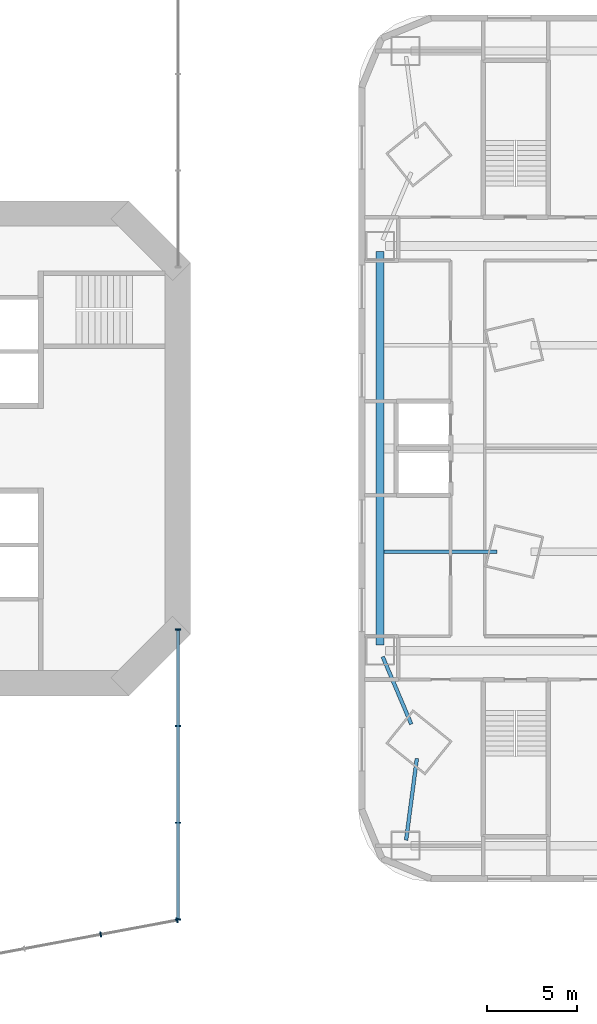
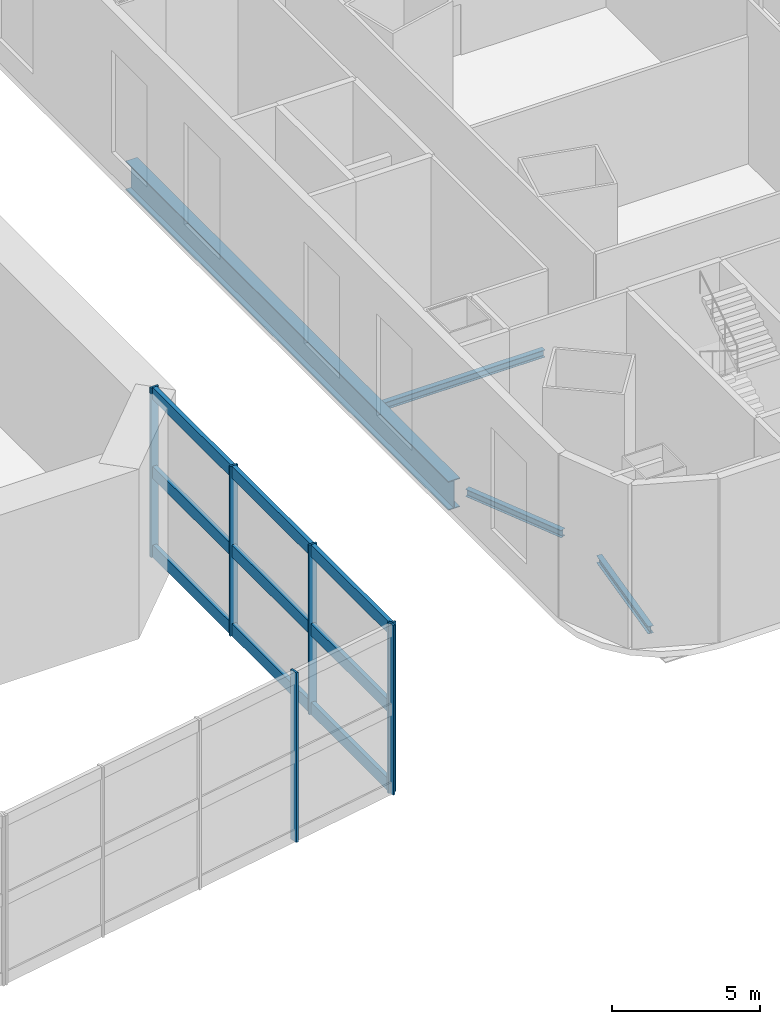
# One storey, part 5 of 19: 9 members, 4 beams, 2 elements without a shape of their own.
"""IFC4 building model written with IfcOpenShell, lengths in metres."""

from ifc_helpers import new_model, si_unit, direction, frame, origin, origin_2d, place, context, subcontext, project, spatial, rectangle, i_section, extrude, material, material_profile, profile_set, type_object, element, aggregate, save


model = new_model("IFC4")

# Units and contexts
model_context = context("Model", 3, precision=1e-05, world=origin(), true_north=direction((0.0, 1.0)))
body_context = subcontext(model_context, "Body", "Model", "MODEL_VIEW")
ifc_project = project(units=[si_unit("LENGTHUNIT", "METRE"), si_unit("AREAUNIT", "SQUARE_METRE"), si_unit("VOLUMEUNIT", "CUBIC_METRE"), si_unit("PLANEANGLEUNIT", "RADIAN"), si_unit("MASSUNIT", "GRAM", prefix="KILO")], contexts=[model_context])

# Site, building, storey
site_placement = place(None, origin())
site = spatial("IfcSite", under=ifc_project, at=site_placement, CompositionType="ELEMENT")
building_placement = place(site_placement, origin())
building = spatial("IfcBuilding", under=site, at=building_placement, Name="Marenthal Gate Tower", CompositionType="ELEMENT")
storey_placement = place(building_placement, frame((0.0, 0.0, 12.0)))
storey = spatial("IfcBuildingStorey", under=building, at=storey_placement, Name="L01", CompositionType="ELEMENT", Elevation=12.0)

# Curtain wall, members
ifc_material_1 = material(Name="Aluminium and glass", Category="aluminium")
curtain_wall_type = type_object("IfcCurtainWallType", Name="Curtain wall arch infill", PredefinedType="NOTDEFINED", material=ifc_material_1)
curtain_wall_1_placement = place(storey_placement, origin())
curtain_wall_1 = element("IfcCurtainWall", 1, at=curtain_wall_1_placement, inside=storey, type_object=curtain_wall_type, Name="Curtain wall L01 arch S4", PredefinedType="NOTDEFINED")
ifc_material_2 = material(Name="Aluminium", Category="aluminium")
ifc_material_profile_1 = material_profile(ifc_material_2, rectangle(XDim=0.300048828125, YDim=0.080078125, at=origin_2d()), Name="80x300 aluminium mullion")
ifc_profile_set_1 = profile_set([ifc_material_profile_1], Name="Aluminium")
member_type_1 = type_object("IfcMemberType", Name="Mullion 80x300 arch infill", PredefinedType="MULLION", material=ifc_profile_set_1)
member_1_placement = place(storey_placement, frame((11.730224609375, -26.913818359375, 0.0), z_axis=(0.0, 0.0, 1.0), x_axis=(-0.183356787375, 0.983046432537, 0.0)))
member_1 = element("IfcMember", 2, at=member_1_placement, type_object=member_type_1, Name="Mullion L01 arch S4.4", PredefinedType="MULLION", context=body_context, shape_type="SweptSolid", body=[
    extrude(rectangle(XDim=0.300048828125, YDim=0.080078125, at=origin_2d()), origin(), (0.0, 0.0, 1.0), 7.0),
])
member_2_placement = place(storey_placement, frame((15.960693359375, -26.124755859375, 0.0), z_axis=(0.0, 0.0, 1.0), x_axis=(-0.183356787375, 0.983046432537, 0.0)))
member_2 = element("IfcMember", 3, at=member_2_placement, type_object=member_type_1, Name="Mullion L01 arch S4.5", PredefinedType="MULLION", context=body_context, shape_type="SweptSolid", body=[
    extrude(rectangle(XDim=0.300048828125, YDim=0.080078125, at=origin_2d()), origin(), (0.0, 0.0, 1.0), 7.0),
])
aggregate(curtain_wall_1, [member_1, member_2])

curtain_wall_2_placement = place(storey_placement, origin())
curtain_wall_2 = element("IfcCurtainWall", 4, at=curtain_wall_2_placement, inside=storey, type_object=curtain_wall_type, Name="Curtain wall L01 hall SE1", PredefinedType="NOTDEFINED")
member_3_placement = place(storey_placement, frame((16.0, -10.0400390625, 0.0), z_axis=(0.0, 0.0, 1.0), x_axis=(1.0, 0.0, 0.0)))
member_3 = element("IfcMember", 5, at=member_3_placement, type_object=member_type_1, Name="Mullion L01 hall SE1.1", PredefinedType="MULLION", context=body_context, shape_type="SweptSolid", body=[
    extrude(rectangle(XDim=0.300048828125, YDim=0.080078125, at=origin_2d()), origin(), (0.0, 0.0, 1.0), 7.0),
])
member_4_placement = place(storey_placement, frame((16.0, -15.3857421875, 0.0), z_axis=(0.0, 0.0, 1.0), x_axis=(1.0, 0.0, 0.0)))
member_4 = element("IfcMember", 6, at=member_4_placement, type_object=member_type_1, Name="Mullion L01 hall SE1.2", PredefinedType="MULLION", context=body_context, shape_type="SweptSolid", body=[
    extrude(rectangle(XDim=0.300048828125, YDim=0.080078125, at=origin_2d()), origin(), (0.0, 0.0, 1.0), 7.0),
])
member_5_placement = place(storey_placement, frame((16.0, -20.731689453125, 0.0), z_axis=(0.0, 0.0, 1.0), x_axis=(1.0, 0.0, 0.0)))
member_5 = element("IfcMember", 7, at=member_5_placement, type_object=member_type_1, Name="Mullion L01 hall SE1.3", PredefinedType="MULLION", context=body_context, shape_type="SweptSolid", body=[
    extrude(rectangle(XDim=0.300048828125, YDim=0.080078125, at=origin_2d()), origin(), (0.0, 0.0, 1.0), 7.0),
])
member_6_placement = place(storey_placement, frame((16.0, -26.077392578125, 0.0), z_axis=(0.0, 0.0, 1.0), x_axis=(1.0, 0.0, 0.0)))
member_6 = element("IfcMember", 8, at=member_6_placement, type_object=member_type_1, Name="Mullion L01 hall SE1.4", PredefinedType="MULLION", context=body_context, shape_type="SweptSolid", body=[
    extrude(rectangle(XDim=0.300048828125, YDim=0.080078125, at=origin_2d()), origin(), (0.0, 0.0, 1.0), 7.0),
])

# Beam
ifc_material_3 = material(Name="Steel S355", Category="steel")
ifc_material_profile_2 = material_profile(ifc_material_3, i_section(OverallWidth=0.449951171875, OverallDepth=1.199951171875, WebThickness=0.02197265625, FlangeThickness=0.0400390625, at=origin_2d()), Name="PLATE GIRDER 1200X450X22X40")
ifc_profile_set_2 = profile_set([ifc_material_profile_2], Name="Steel S355")
beam_type_1 = type_object("IfcBeamType", Name="PLATE GIRDER 1200X450X22X40 beam", PredefinedType="BEAM", material=ifc_profile_set_2)
beam_1_placement = place(storey_placement, frame((27.199951171875, -10.89990234375, -0.85009765625), z_axis=(0.0, 1.0, 0.0), x_axis=(-1.0, 0.0, 0.0)))
element("IfcBeam", 9, at=beam_1_placement, inside=storey, type_object=beam_type_1, Name="BM-L01-104", PredefinedType="BEAM", context=body_context, shape_type="SweptSolid", body=[
    extrude(i_section(OverallWidth=0.449951171875, OverallDepth=1.199951171875, WebThickness=0.02197265625, FlangeThickness=0.0400390625, at=origin_2d()), origin(), (0.0, 0.0, 1.0), 21.7998046875),
])

# Member
ifc_material_4 = material(Name="Aluminium", Category="aluminium")
ifc_material_profile_3 = material_profile(ifc_material_4, rectangle(XDim=0.159912109375, YDim=0.5, at=origin_2d()), Name="160x500 aluminium transom")
ifc_profile_set_3 = profile_set([ifc_material_profile_3], Name="Aluminium")
member_type_2 = type_object("IfcMemberType", Name="Transom 160x500 arch infill", PredefinedType="USERDEFINED", material=ifc_profile_set_3)
member_7_placement = place(storey_placement, frame((16.0, -10.080078125, 0.25), z_axis=(0.0, -1.0, 0.0), x_axis=(1.0, 0.0, 0.0)))
member_7 = element("IfcMember", 10, at=member_7_placement, type_object=member_type_2, Name="Transom L01 hall SE1.1", ObjectType="TRANSOM", PredefinedType="USERDEFINED", context=body_context, shape_type="SweptSolid", body=[
    extrude(rectangle(XDim=0.159912109375, YDim=0.5, at=origin_2d()), origin(), (0.0, 0.0, 1.0), 15.957275390625),
])

member_8_placement = place(storey_placement, frame((16.0, -10.080078125, 3.5), z_axis=(0.0, -1.0, 0.0), x_axis=(1.0, 0.0, 0.0)))
member_8 = element("IfcMember", 11, at=member_8_placement, type_object=member_type_2, Name="Transom L01 hall SE1.2", ObjectType="TRANSOM", PredefinedType="USERDEFINED", context=body_context, shape_type="SweptSolid", body=[
    extrude(rectangle(XDim=0.159912109375, YDim=0.5, at=origin_2d()), origin(), (0.0, 0.0, 1.0), 15.957275390625),
])

member_9_placement = place(storey_placement, frame((16.0, -10.080078125, 6.75), z_axis=(0.0, -1.0, 0.0), x_axis=(1.0, 0.0, 0.0)))
member_9 = element("IfcMember", 12, at=member_9_placement, type_object=member_type_2, Name="Transom L01 hall SE1.3", ObjectType="TRANSOM", PredefinedType="USERDEFINED", context=body_context, shape_type="SweptSolid", body=[
    extrude(rectangle(XDim=0.159912109375, YDim=0.5, at=origin_2d()), origin(), (0.0, 0.0, 1.0), 15.957275390625),
])

aggregate(curtain_wall_2, [member_3, member_4, member_5, member_6, member_7, member_8, member_9])

# Beams
ifc_material_5 = material(Name="Steel S355", Category="steel")
ifc_material_profile_4 = material_profile(ifc_material_5, i_section(OverallWidth=0.202880859375, OverallDepth=0.302001953125, WebThickness=0.007568359375, FlangeThickness=0.01318359375, FilletRadius=0.0126953125, at=origin_2d()), Name="W310X60")
ifc_profile_set_4 = profile_set([ifc_material_profile_4], Name="Steel S355")
beam_type_2 = type_object("IfcBeamType", Name="W310X60 beam", PredefinedType="BEAM", material=ifc_profile_set_4)
beam_2_placement = place(storey_placement, frame((27.425048828125, -5.716064453125, -0.40087890625), z_axis=(1.0, 0.0, 0.0), x_axis=(0.0, 1.0, 0.0)))
element("IfcBeam", 13, at=beam_2_placement, inside=storey, type_object=beam_type_2, Name="BM-L01-107", PredefinedType="BEAM", context=body_context, shape_type="SweptSolid", body=[
    extrude(i_section(OverallWidth=0.202880859375, OverallDepth=0.302001953125, WebThickness=0.007568359375, FlangeThickness=0.01318359375, FilletRadius=0.0126953125, at=origin_2d()), origin(), (0.0, 0.0, 1.0), 6.2568359375),
])
beam_3_placement = place(storey_placement, frame((27.34375, -11.53955078125, -0.40087890625), z_axis=(0.390030578719, -0.920801904681, 0.0), x_axis=(0.920801904681, 0.390030578719, 0.0)))
element("IfcBeam", 14, at=beam_3_placement, inside=storey, type_object=beam_type_2, Name="BM-L01-116", PredefinedType="BEAM", context=body_context, shape_type="SweptSolid", body=[
    extrude(i_section(OverallWidth=0.202880859375, OverallDepth=0.302001953125, WebThickness=0.007568359375, FlangeThickness=0.01318359375, FilletRadius=0.0126953125, at=origin_2d()), origin(), (0.0, 0.0, 1.0), 4.057373046875),
])
beam_4_placement = place(storey_placement, frame((29.233154296875, -17.17578125, -0.40087890625), z_axis=(-0.130135880417, -0.991496168741, 0.0), x_axis=(0.991496168741, -0.130135880417, 0.0)))
element("IfcBeam", 15, at=beam_4_placement, inside=storey, type_object=beam_type_2, Name="BM-L01-117", PredefinedType="BEAM", context=body_context, shape_type="SweptSolid", body=[
    extrude(i_section(OverallWidth=0.202880859375, OverallDepth=0.302001953125, WebThickness=0.007568359375, FlangeThickness=0.01318359375, FilletRadius=0.0126953125, at=origin_2d()), origin(), (0.0, 0.0, 1.0), 4.558837890625),
])

save(model, "model.ifc")
